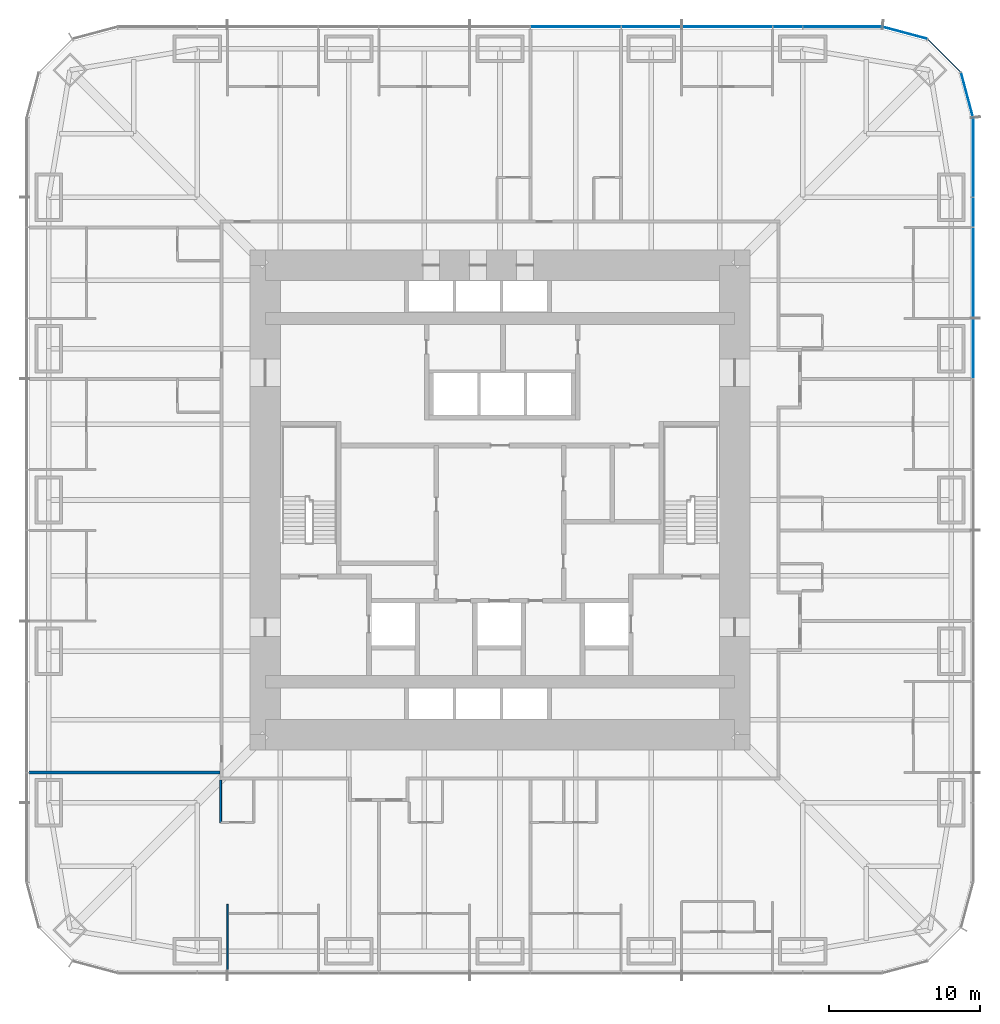
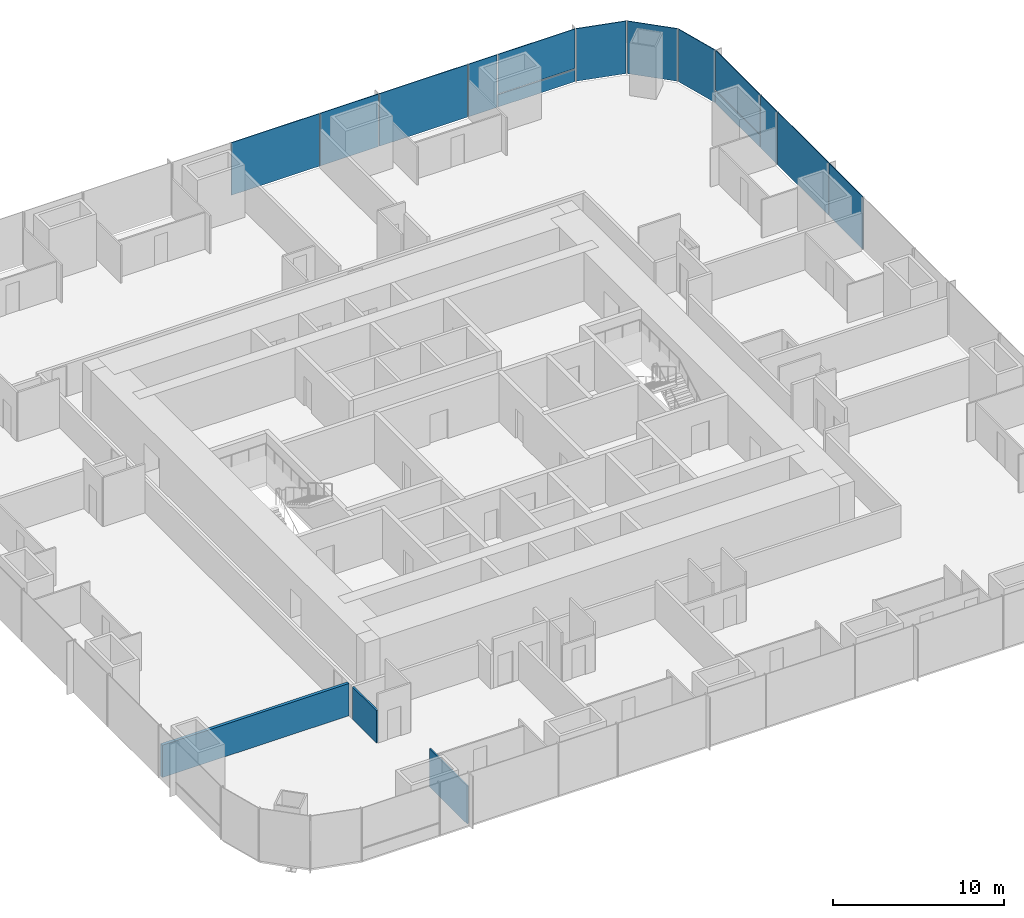
# One storey, part 11 of 17: 14 plates, 3 walls, 3 elements without a shape of their own.
"""IFC4 building model written with IfcOpenShell, lengths in metres."""

from ifc_helpers import new_model, si_unit, direction, frame, frame_2d, origin, origin_2d, place, context, subcontext, project, spatial, rectangle, extrude, material, layer, layer_set, type_object, element, aggregate, save


model = new_model("IFC4")

# Units and contexts
model_context = context("Model", 3, precision=1e-05, world=origin(), true_north=direction((0.0, 1.0)))
body_context = subcontext(model_context, "Body", "Model", "MODEL_VIEW")
ifc_project = project(units=[si_unit("LENGTHUNIT", "METRE"), si_unit("AREAUNIT", "SQUARE_METRE"), si_unit("VOLUMEUNIT", "CUBIC_METRE"), si_unit("PLANEANGLEUNIT", "RADIAN"), si_unit("MASSUNIT", "GRAM", prefix="KILO")], contexts=[model_context])

# Site, building, storey
site_placement = place(None, origin())
site = spatial("IfcSite", under=ifc_project, at=site_placement, CompositionType="ELEMENT")
building_placement = place(site_placement, origin())
building = spatial("IfcBuilding", under=site, at=building_placement, Name="Khuree Lantern Residences", CompositionType="ELEMENT")
storey_placement = place(building_placement, frame((0.0, 0.0, 77.25)))
storey = spatial("IfcBuildingStorey", under=building, at=storey_placement, Name="L19", CompositionType="ELEMENT", Elevation=77.25)

# Curtain wall, plates
ifc_material_1 = material(Name="Bronze anodised aluminium", Category="aluminium")
curtain_wall_type_1 = type_object("IfcCurtainWallType", Name="CW-T2 TOWER CORNER CURTAIN WALL", PredefinedType="USERDEFINED", material=ifc_material_1)
curtain_wall_1_placement = place(storey_placement, origin())
curtain_wall_1 = element("IfcCurtainWall", 1, at=curtain_wall_1_placement, inside=storey, type_object=curtain_wall_type_1, Name="L19 NORTH-EAST CORNER CURTAIN WALL", ObjectType="Faceted corner curtain wall", PredefinedType="USERDEFINED")
ifc_material_2 = material(Name="Bronze tinted triple glazing", Category="glass")
ifc_layer_1 = layer(ifc_material_2, 0.048095703125)
ifc_layer_set_1 = layer_set([ifc_layer_1], Name="FACET PANEL P4")
plate_type_1 = type_object("IfcPlateType", Name="FACET PANEL P4", PredefinedType="CURTAIN_PANEL", material=ifc_layer_set_1)
plate_1_placement = place(storey_placement, frame((30.8486328125, 26.748046875, 0.0), z_axis=(0.0, 0.0, 1.0), x_axis=(-0.258819172081, 0.965925792265, 0.0)))
plate_1 = element("IfcPlate", 2, at=plate_1_placement, type_object=plate_type_1, Name="L19 NORTH-EAST CORNER PANEL 15.1", PredefinedType="CURTAIN_PANEL", context=body_context, shape_type="SweptSolid", body=[
    extrude(rectangle(XDim=3.02978515625, YDim=0.048095703125, at=origin_2d()), origin(), (0.0, 0.0, 1.0), 3.75),
])
plate_2_placement = place(storey_placement, frame((29.34814453125, 29.34814453125, 0.0), z_axis=(0.0, 0.0, 1.0), x_axis=(-0.707106781187, 0.707106781187, 0.0)))
plate_2 = element("IfcPlate", 3, at=plate_2_placement, type_object=plate_type_1, Name="L19 NORTH-EAST CORNER PANEL 16.1", PredefinedType="CURTAIN_PANEL", context=body_context, shape_type="SweptSolid", body=[
    extrude(rectangle(XDim=3.025634765625, YDim=0.048095703125, at=origin_2d()), origin(), (0.0, 0.0, 1.0), 3.75),
])
plate_3_placement = place(storey_placement, frame((26.748046875, 30.8486328125, 0.0), z_axis=(0.0, 0.0, 1.0), x_axis=(-0.965925792265, 0.258819172081, 0.0)))
plate_3 = element("IfcPlate", 4, at=plate_3_placement, type_object=plate_type_1, Name="L19 NORTH-EAST CORNER PANEL 17.1", PredefinedType="CURTAIN_PANEL", context=body_context, shape_type="SweptSolid", body=[
    extrude(rectangle(XDim=3.02978515625, YDim=0.048095703125, at=origin_2d()), origin(), (0.0, 0.0, 1.0), 3.75),
])
aggregate(curtain_wall_1, [plate_1, plate_2, plate_3])

# Curtain wall, plate
curtain_wall_type_2 = type_object("IfcCurtainWallType", Name="CW-T1 TOWER FACE CURTAIN WALL", PredefinedType="USERDEFINED", material=ifc_material_1)
curtain_wall_2_placement = place(storey_placement, origin())
curtain_wall_2 = element("IfcCurtainWall", 5, at=curtain_wall_2_placement, inside=storey, type_object=curtain_wall_type_2, Name="L19 EAST FACE CURTAIN WALL", ObjectType="Stick-built curtain wall", PredefinedType="USERDEFINED")
ifc_material_3 = material(Name="Bronze tinted triple glazing with a ceramic-fritted spandrel band", Category="glass")
ifc_layer_2 = layer(ifc_material_3, 0.048095703125)
ifc_layer_set_2 = layer_set([ifc_layer_2], Name="FIXED LIGHT PANEL P11")
plate_type_2 = type_object("IfcPlateType", Name="FIXED LIGHT PANEL P11", PredefinedType="CURTAIN_PANEL", material=ifc_layer_set_2)
plate_4_placement = place(storey_placement, frame((31.25, 15.0, 0.0), z_axis=(0.0, 0.0, 1.0), x_axis=(0.0, 1.0, 0.0)))
plate_4 = element("IfcPlate", 6, at=plate_4_placement, type_object=plate_type_2, Name="L19 EAST FACE PANEL 12.1", PredefinedType="CURTAIN_PANEL", context=body_context, shape_type="SweptSolid", body=[
    extrude(rectangle(XDim=5.93505859375, YDim=0.048095703125, at=origin_2d()), origin(), (0.0, 0.0, 1.0), 3.75),
])

# Curtain wall, plates
curtain_wall_3_placement = place(storey_placement, origin())
curtain_wall_3 = element("IfcCurtainWall", 7, at=curtain_wall_3_placement, inside=storey, type_object=curtain_wall_type_2, Name="L19 NORTH FACE CURTAIN WALL", ObjectType="Stick-built curtain wall", PredefinedType="USERDEFINED")
plate_5_placement = place(storey_placement, frame((15.0, 31.25, 0.0), z_axis=(0.0, 0.0, 1.0), x_axis=(-1.0, 0.0, 0.0)))
plate_5 = element("IfcPlate", 8, at=plate_5_placement, type_object=plate_type_2, Name="L19 NORTH FACE PANEL 20.1", PredefinedType="CURTAIN_PANEL", context=body_context, shape_type="SweptSolid", body=[
    extrude(rectangle(XDim=5.93505859375, YDim=0.048095703125, at=origin_2d()), origin(), (0.0, 0.0, 1.0), 3.75),
])
plate_6_placement = place(storey_placement, frame((5.0, 31.25, 0.0), z_axis=(0.0, 0.0, 1.0), x_axis=(-1.0, 0.0, 0.0)))
plate_6 = element("IfcPlate", 9, at=plate_6_placement, type_object=plate_type_2, Name="L19 NORTH FACE PANEL 22.1", PredefinedType="CURTAIN_PANEL", context=body_context, shape_type="SweptSolid", body=[
    extrude(rectangle(XDim=5.93505859375, YDim=0.048095703125, at=origin_2d()), origin(), (0.0, 0.0, 1.0), 3.75),
])

# Plate
ifc_material_4 = material(Name="Bronze tinted triple glazing, two aluminium-framed sashes in one frame", Category="aluminium")
ifc_layer_3 = layer(ifc_material_4, 0.048095703125)
ifc_layer_set_3 = layer_set([ifc_layer_3], Name="SASH PAIR PANEL P12")
plate_type_3 = type_object("IfcPlateType", Name="SASH PAIR PANEL P12", PredefinedType="CURTAIN_PANEL", material=ifc_layer_set_3)
plate_7_placement = place(storey_placement, frame((31.25, 10.0, 0.0), z_axis=(0.0, 0.0, 1.0), x_axis=(0.0, 1.0, 0.0)))
plate_7 = element("IfcPlate", 10, at=plate_7_placement, type_object=plate_type_3, Name="L19 EAST FACE PANEL 11.1", PredefinedType="CURTAIN_PANEL", context=body_context, shape_type="SweptSolid", body=[
    extrude(rectangle(XDim=3.93505859375, YDim=0.048095703125, at=origin_2d()), origin(), (0.0, 0.0, 1.0), 3.75),
])

plate_8_placement = place(storey_placement, frame((10.0, 31.25, 0.0), z_axis=(0.0, 0.0, 1.0), x_axis=(-1.0, 0.0, 0.0)))
plate_8 = element("IfcPlate", 11, at=plate_8_placement, type_object=plate_type_3, Name="L19 NORTH FACE PANEL 21.1", PredefinedType="CURTAIN_PANEL", context=body_context, shape_type="SweptSolid", body=[
    extrude(rectangle(XDim=3.93505859375, YDim=0.048095703125, at=origin_2d()), origin(), (0.0, 0.0, 1.0), 3.75),
])

ifc_material_5 = material(Name="Bronze tinted triple glazing, aluminium-framed sash", Category="aluminium")
ifc_layer_4 = layer(ifc_material_5, 0.048095703125)
ifc_layer_set_4 = layer_set([ifc_layer_4], Name="SASH PANEL P3")
plate_type_4 = type_object("IfcPlateType", Name="SASH PANEL P3", PredefinedType="CURTAIN_PANEL", material=ifc_layer_set_4)
plate_9_placement = place(storey_placement, frame((31.25, 19.0, 0.0), z_axis=(0.0, 0.0, 1.0), x_axis=(0.0, 1.0, 0.0)))
plate_9 = element("IfcPlate", 12, at=plate_9_placement, type_object=plate_type_4, Name="L19 EAST FACE PANEL 13.1", PredefinedType="CURTAIN_PANEL", context=body_context, shape_type="SweptSolid", body=[
    extrude(rectangle(XDim=1.93505859375, YDim=0.048095703125, at=origin_2d()), origin(), (0.0, 0.0, 1.0), 3.75),
])

plate_10_placement = place(storey_placement, frame((19.0, 31.25, 0.0), z_axis=(0.0, 0.0, 1.0), x_axis=(-1.0, 0.0, 0.0)))
plate_10 = element("IfcPlate", 13, at=plate_10_placement, type_object=plate_type_4, Name="L19 NORTH FACE PANEL 19.1", PredefinedType="CURTAIN_PANEL", context=body_context, shape_type="SweptSolid", body=[
    extrude(rectangle(XDim=1.93505859375, YDim=0.048095703125, at=origin_2d()), origin(), (0.0, 0.0, 1.0), 3.75),
])

ifc_material_6 = material(Name="Bronze anodised aluminium insulated spandrel", Category="aluminium")
ifc_layer_5 = layer(ifc_material_6, 0.06005859375)
ifc_layer_set_5 = layer_set([ifc_layer_5], Name="SPANDREL PANEL P2")
plate_type_5 = type_object("IfcPlateType", Name="SPANDREL PANEL P2", PredefinedType="CURTAIN_PANEL", material=ifc_layer_set_5)
plate_11_placement = place(storey_placement, frame((31.25, 22.622802734375, 0.0), z_axis=(0.0, 0.0, 1.0), x_axis=(0.0, 1.0, 0.0)))
plate_11 = element("IfcPlate", 14, at=plate_11_placement, type_object=plate_type_5, Name="L19 EAST FACE PANEL 14.1", PredefinedType="CURTAIN_PANEL", context=body_context, shape_type="SweptSolid", body=[
    extrude(rectangle(XDim=5.1806640625, YDim=0.06005859375, at=origin_2d()), origin(), (0.0, 0.0, 1.0), 0.867431640625),
])

plate_12_placement = place(storey_placement, frame((22.622802734375, 31.25, 0.0), z_axis=(0.0, 0.0, 1.0), x_axis=(-1.0, 0.0, 0.0)))
plate_12 = element("IfcPlate", 15, at=plate_12_placement, type_object=plate_type_5, Name="L19 NORTH FACE PANEL 18.1", PredefinedType="CURTAIN_PANEL", context=body_context, shape_type="SweptSolid", body=[
    extrude(rectangle(XDim=5.1806640625, YDim=0.06005859375, at=origin_2d()), origin(), (0.0, 0.0, 1.0), 0.867431640625),
])

ifc_layer_6 = layer(ifc_material_2, 0.048095703125)
ifc_layer_set_6 = layer_set([ifc_layer_6], Name="VISION PANEL P1")
plate_type_6 = type_object("IfcPlateType", Name="VISION PANEL P1", PredefinedType="CURTAIN_PANEL", material=ifc_layer_set_6)
plate_13_placement = place(storey_placement, frame((31.25, 22.623291015625, 0.9326171875), z_axis=(0.0, 0.0, 1.0), x_axis=(0.0, 1.0, 0.0)))
plate_13 = element("IfcPlate", 16, at=plate_13_placement, type_object=plate_type_6, Name="L19 EAST FACE PANEL 14.2", PredefinedType="CURTAIN_PANEL", context=body_context, shape_type="SweptSolid", body=[
    extrude(rectangle(XDim=5.181640625, YDim=0.048095703125, at=origin_2d()), origin(), (0.0, 0.0, 1.0), 2.8173828125),
])

aggregate(curtain_wall_2, [plate_7, plate_4, plate_9, plate_11, plate_13])

plate_14_placement = place(storey_placement, frame((22.623291015625, 31.25, 0.9326171875), z_axis=(0.0, 0.0, 1.0), x_axis=(-1.0, 0.0, 0.0)))
plate_14 = element("IfcPlate", 17, at=plate_14_placement, type_object=plate_type_6, Name="L19 NORTH FACE PANEL 18.2", PredefinedType="CURTAIN_PANEL", context=body_context, shape_type="SweptSolid", body=[
    extrude(rectangle(XDim=5.181640625, YDim=0.048095703125, at=origin_2d()), origin(), (0.0, 0.0, 1.0), 2.8173828125),
])

aggregate(curtain_wall_3, [plate_12, plate_14, plate_10, plate_5, plate_8, plate_6])

# Walls
ifc_material_7 = material(Name="Moisture-resistant gypsum board on steel studs", Category="steel")
ifc_layer_7 = layer(ifc_material_7, 0.125)
ifc_layer_set_7 = layer_set([ifc_layer_7], Name="BATHROOM WALL BTW125")
wall_type_1 = type_object("IfcWallType", Name="BATHROOM WALL BTW125", PredefinedType="PARTITIONING", material=ifc_layer_set_7)
wall_1_placement = place(storey_placement, frame((-18.449951171875, -18.5, 0.0), z_axis=(0.0, 0.0, 1.0), x_axis=(0.0, -1.0, 0.0)))
element("IfcWall", 18, at=wall_1_placement, inside=storey, type_object=wall_type_1, Name="L19 BATHROOM WALL 08", PredefinedType="PARTITIONING", context=body_context, shape_type="SweptSolid", body=[
    extrude(rectangle(XDim=2.800048828125, YDim=0.125, at=frame_2d((1.39990234375, 0.0))), origin(), (0.0, 0.0, 1.0), 2.300048828125),
])
ifc_material_8 = material(Name="Gypsum board on steel studs", Category="steel")
ifc_layer_8 = layer(ifc_material_8, 0.199951171875)
ifc_layer_set_8 = layer_set([ifc_layer_8], Name="DEMISING WALL DMW200 EI 90")
wall_type_2 = type_object("IfcWallType", Name="DEMISING WALL DMW200 EI 90", PredefinedType="PARTITIONING", material=ifc_layer_set_8)
wall_2_placement = place(storey_placement, frame((-18.5, -18.0, 0.0), z_axis=(0.0, 0.0, 1.0), x_axis=(-1.0, 0.0, 0.0)))
element("IfcWall", 19, at=wall_2_placement, inside=storey, type_object=wall_type_2, Name="L19 DEMISING WALL 08", PredefinedType="PARTITIONING", context=body_context, shape_type="SweptSolid", body=[
    extrude(rectangle(XDim=12.60009765625, YDim=0.199951171875, at=frame_2d((6.300048828125, 0.0))), origin(), (0.0, 0.0, 1.0), 2.300048828125),
])
ifc_layer_9 = layer(ifc_material_8, 0.10009765625)
ifc_layer_set_9 = layer_set([ifc_layer_9], Name="PARTITION PT100")
wall_type_3 = type_object("IfcWallType", Name="PARTITION PT100", PredefinedType="PARTITIONING", material=ifc_layer_set_9)
wall_3_placement = place(storey_placement, frame((-18.0, -26.699951171875, 0.0), z_axis=(0.0, 0.0, 1.0), x_axis=(0.0, -1.0, 0.0)))
element("IfcWall", 20, at=wall_3_placement, inside=storey, type_object=wall_type_3, Name="L19 PARTITION 08", PredefinedType="PARTITIONING", context=body_context, shape_type="SweptSolid", body=[
    extrude(rectangle(XDim=4.400146484375, YDim=0.10009765625, at=frame_2d((2.2001953125, 0.0))), origin(), (0.0, 0.0, 1.0), 2.7099609375),
])

save(model, "model.ifc")
